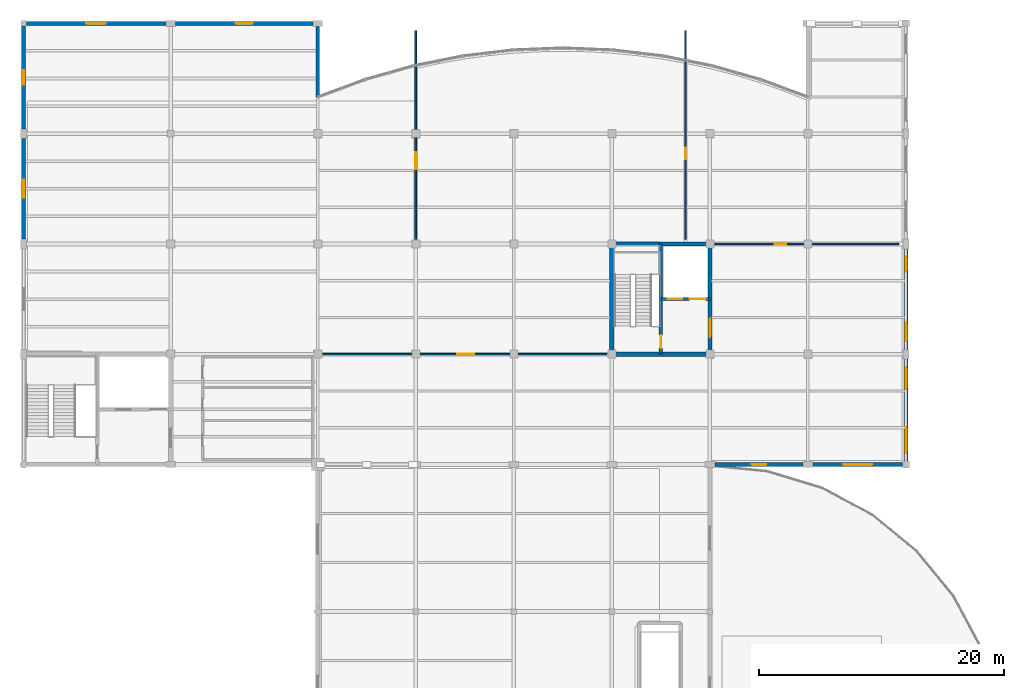
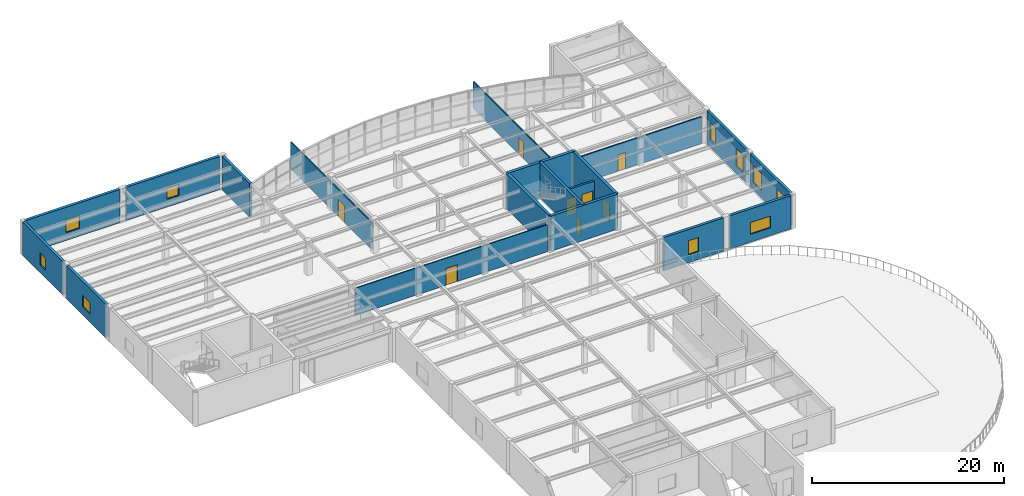
# One storey, part 9 of 16: 19 walls, 10 windows, 8 doors, 18 openings.
"""IFC4 building model written with IfcOpenShell, lengths in metres."""

from ifc_helpers import new_model, si_unit, direction, frame, frame_2d, origin, place, context, subcontext, project, spatial, rectangle, extrude, material, layer, layer_set, type_object, element, fill, save


model = new_model("IFC4")

# Units and contexts
model_context = context("Model", 3, precision=1e-05, world=origin(), true_north=direction((0.0, 1.0)))
body_context = subcontext(model_context, "Body", "Model", "MODEL_VIEW")
ifc_project = project(units=[si_unit("LENGTHUNIT", "METRE"), si_unit("AREAUNIT", "SQUARE_METRE"), si_unit("VOLUMEUNIT", "CUBIC_METRE"), si_unit("PLANEANGLEUNIT", "RADIAN"), si_unit("MASSUNIT", "GRAM", prefix="KILO")], contexts=[model_context])

# Site, building, storey
site_placement = place(None, origin())
site = spatial("IfcSite", under=ifc_project, at=site_placement, CompositionType="ELEMENT")
building_placement = place(site_placement, origin())
building = spatial("IfcBuilding", under=site, at=building_placement, Name="Keelwater Ferry Terminal", CompositionType="ELEMENT")
storey_placement = place(building_placement, frame((0.0, 0.0, 15.0)))
storey = spatial("IfcBuildingStorey", under=building, at=storey_placement, Name="L03", CompositionType="ELEMENT", Elevation=15.0)

# Wall, openings, windows
ifc_material_1 = material(Name="Precast concrete C40/50", Category="concrete")
ifc_layer_1 = layer(ifc_material_1, 0.320068359375)
ifc_layer_set_1 = layer_set([ifc_layer_1], Name="Precast concrete C40/50")
wall_type_1 = type_object("IfcWallType", Name="EW-TC320 External Solid Wall 320", PredefinedType="SOLIDWALL", material=ifc_layer_set_1)
wall_1_placement = place(storey_placement, frame((180.0, 90.27490234375, 0.0), z_axis=(0.0, 0.0, 1.0), x_axis=(0.0, 1.0, 0.0)))
wall_1 = element("IfcWall", 1, at=wall_1_placement, inside=storey, type_object=wall_type_1, Name="External Wall WL-L03-0109", PredefinedType="SOLIDWALL", context=body_context, shape_type="SweptSolid", body=[
    extrude(rectangle(XDim=8.3251953125, YDim=0.320068359375, at=frame_2d((4.16259765625, 0.0))), origin(), (0.0, 0.0, 1.0), 4.239990234375),
])
opening_1_placement = place(wall_1_placement, frame((0.64990234375, 0.0, 0.949951171875)))
opening_1 = element("IfcOpeningElement", 2, at=opening_1_placement, cuts=wall_1, Name="Opening WN-02", PredefinedType="OPENING", context=body_context, shape_type="SweptSolid", body=[
    extrude(rectangle(XDim=2.10009765625, YDim=2.199951171875, at=frame_2d((1.050048828125, 1.10009765625))), frame((0.0, 0.170166015625, 0.0), z_axis=(0.0, -1.0, 0.0), x_axis=(1.0, 0.0, 0.0)), (0.0, 0.0, 1.0), 0.340087890625),
])
opening_2_placement = place(wall_1_placement, frame((5.875, 0.0, 0.949951171875)))
opening_2 = element("IfcOpeningElement", 3, at=opening_2_placement, cuts=wall_1, Name="Opening WN-03", PredefinedType="OPENING", context=body_context, shape_type="SweptSolid", body=[
    extrude(rectangle(XDim=1.800048828125, YDim=2.199951171875, at=frame_2d((0.89990234375, 1.10009765625))), frame((0.0, 0.170166015625, 0.0), z_axis=(0.0, -1.0, 0.0), x_axis=(1.0, 0.0, 0.0)), (0.0, 0.0, 1.0), 0.340087890625),
])
ifc_material_2 = material(Name="Triple low-E glass in thermally broken aluminium frame", Category="aluminium")
window_type_1 = type_object("IfcWindowType", Name="WN-02 Exterior Window 2100x2200", PartitioningType="SINGLE_PANEL", PredefinedType="WINDOW", material=ifc_material_2)
window_1_placement = place(opening_1_placement, origin())
window_1 = element("IfcWindow", 4, at=window_1_placement, inside=storey, type_object=window_type_1, Name="Window WN-L03-0069", OverallHeight=2.199951171875, OverallWidth=2.10009765625, PartitioningType="SINGLE_PANEL", PredefinedType="WINDOW", context=body_context, shape_type="SweptSolid", body=[
    extrude(rectangle(XDim=2.10009765625, YDim=2.199951171875, at=frame_2d((1.050048828125, 1.10009765625))), frame((0.0, 0.030029296875, 0.0), z_axis=(0.0, -1.0, 0.0), x_axis=(1.0, 0.0, 0.0)), (0.0, 0.0, 1.0), 0.06005859375),
])
fill(opening_1, window_1)
ifc_material_3 = material(Name="Triple low-E glass in thermally broken aluminium frame", Category="aluminium")
window_type_2 = type_object("IfcWindowType", Name="WN-03 Exterior Window 1800x2200", PartitioningType="SINGLE_PANEL", PredefinedType="WINDOW", material=ifc_material_3)
window_2_placement = place(opening_2_placement, origin())
window_2 = element("IfcWindow", 5, at=window_2_placement, inside=storey, type_object=window_type_2, Name="Window WN-L03-0070", OverallHeight=2.199951171875, OverallWidth=1.800048828125, PartitioningType="SINGLE_PANEL", PredefinedType="WINDOW", context=body_context, shape_type="SweptSolid", body=[
    extrude(rectangle(XDim=1.800048828125, YDim=2.199951171875, at=frame_2d((0.89990234375, 1.10009765625))), frame((0.0, 0.030029296875, 0.0), z_axis=(0.0, -1.0, 0.0), x_axis=(1.0, 0.0, 0.0)), (0.0, 0.0, 1.0), 0.06005859375),
])
fill(opening_2, window_2)

wall_2_placement = place(storey_placement, frame((180.0, 99.39990234375, 0.0), z_axis=(0.0, 0.0, 1.0), x_axis=(0.0, 1.0, 0.0)))
wall_2 = element("IfcWall", 6, at=wall_2_placement, inside=storey, type_object=wall_type_1, Name="External Wall WL-L03-0110", PredefinedType="SOLIDWALL", context=body_context, shape_type="SweptSolid", body=[
    extrude(rectangle(XDim=8.2001953125, YDim=0.320068359375, at=frame_2d((4.10009765625, 0.0))), origin(), (0.0, 0.0, 1.0), 4.239990234375),
])
opening_3_placement = place(wall_2_placement, frame((0.64990234375, 0.0, 0.949951171875)))
opening_3 = element("IfcOpeningElement", 7, at=opening_3_placement, cuts=wall_2, Name="Opening WN-04", PredefinedType="OPENING", context=body_context, shape_type="SweptSolid", body=[
    extrude(rectangle(XDim=1.5, YDim=2.199951171875, at=frame_2d((0.75, 1.10009765625))), frame((0.0, 0.170166015625, 0.0), z_axis=(0.0, -1.0, 0.0), x_axis=(1.0, 0.0, 0.0)), (0.0, 0.0, 1.0), 0.340087890625),
])
opening_4_placement = place(wall_2_placement, frame((6.35009765625, 0.0, 0.949951171875)))
opening_4 = element("IfcOpeningElement", 8, at=opening_4_placement, cuts=wall_2, Name="Opening WN-05", PredefinedType="OPENING", context=body_context, shape_type="SweptSolid", body=[
    extrude(rectangle(XDim=1.199951171875, YDim=2.199951171875, at=frame_2d((0.60009765625, 1.10009765625))), frame((0.0, 0.170166015625, 0.0), z_axis=(0.0, -1.0, 0.0), x_axis=(1.0, 0.0, 0.0)), (0.0, 0.0, 1.0), 0.340087890625),
])
ifc_material_4 = material(Name="Triple low-E glass in thermally broken aluminium frame", Category="aluminium")
window_type_3 = type_object("IfcWindowType", Name="WN-04 Exterior Window 1500x2200", PartitioningType="SINGLE_PANEL", PredefinedType="WINDOW", material=ifc_material_4)
window_3_placement = place(opening_3_placement, origin())
window_3 = element("IfcWindow", 9, at=window_3_placement, inside=storey, type_object=window_type_3, Name="Window WN-L03-0071", OverallHeight=2.199951171875, OverallWidth=1.5, PartitioningType="SINGLE_PANEL", PredefinedType="WINDOW", context=body_context, shape_type="SweptSolid", body=[
    extrude(rectangle(XDim=1.5, YDim=2.199951171875, at=frame_2d((0.75, 1.10009765625))), frame((0.0, 0.030029296875, 0.0), z_axis=(0.0, -1.0, 0.0), x_axis=(1.0, 0.0, 0.0)), (0.0, 0.0, 1.0), 0.06005859375),
])
fill(opening_3, window_3)
ifc_material_5 = material(Name="Triple low-E glass in thermally broken aluminium frame", Category="aluminium")
window_type_4 = type_object("IfcWindowType", Name="WN-05 Exterior Window 1200x2200", PartitioningType="SINGLE_PANEL", PredefinedType="WINDOW", material=ifc_material_5)
window_4_placement = place(opening_4_placement, origin())
window_4 = element("IfcWindow", 10, at=window_4_placement, inside=storey, type_object=window_type_4, Name="Window WN-L03-0072", OverallHeight=2.199951171875, OverallWidth=1.199951171875, PartitioningType="SINGLE_PANEL", PredefinedType="WINDOW", context=body_context, shape_type="SweptSolid", body=[
    extrude(rectangle(XDim=1.199951171875, YDim=2.199951171875, at=frame_2d((0.60009765625, 1.10009765625))), frame((0.0, 0.030029296875, 0.0), z_axis=(0.0, -1.0, 0.0), x_axis=(1.0, 0.0, 0.0)), (0.0, 0.0, 1.0), 0.06005859375),
])
fill(opening_4, window_4)

# Wall, opening, window
wall_3_placement = place(storey_placement, frame((171.60009765625, 90.0, 0.0), z_axis=(0.0, 0.0, 1.0), x_axis=(-1.0, 0.0, 0.0)))
wall_3 = element("IfcWall", 11, at=wall_3_placement, inside=storey, type_object=wall_type_1, Name="External Wall WL-L03-0113", PredefinedType="SOLIDWALL", context=body_context, shape_type="SweptSolid", body=[
    extrude(rectangle(XDim=7.2001953125, YDim=0.320068359375, at=frame_2d((3.60009765625, 0.0))), origin(), (0.0, 0.0, 1.0), 4.239990234375),
])
opening_5_placement = place(wall_3_placement, frame((3.0, 0.0, 1.0)))
opening_5 = element("IfcOpeningElement", 12, at=opening_5_placement, cuts=wall_3, Name="Opening WN-10", PredefinedType="OPENING", context=body_context, shape_type="SweptSolid", body=[
    extrude(rectangle(XDim=1.199951171875, YDim=1.800048828125, at=frame_2d((0.60009765625, 0.89990234375))), frame((0.0, 0.170166015625, 0.0), z_axis=(0.0, -1.0, 0.0), x_axis=(1.0, 0.0, 0.0)), (0.0, 0.0, 1.0), 0.340087890625),
])
ifc_material_6 = material(Name="Triple low-E glass in thermally broken aluminium frame", Category="aluminium")
window_type_5 = type_object("IfcWindowType", Name="WN-10 Exterior Window 1200x1800", PartitioningType="SINGLE_PANEL", PredefinedType="WINDOW", material=ifc_material_6)
window_5_placement = place(opening_5_placement, origin())
window_5 = element("IfcWindow", 13, at=window_5_placement, inside=storey, type_object=window_type_5, Name="Window WN-L03-0077", OverallHeight=1.800048828125, OverallWidth=1.199951171875, PartitioningType="SINGLE_PANEL", PredefinedType="WINDOW", context=body_context, shape_type="SweptSolid", body=[
    extrude(rectangle(XDim=1.199951171875, YDim=1.800048828125, at=frame_2d((0.60009765625, 0.89990234375))), frame((0.0, 0.030029296875, 0.0), z_axis=(0.0, -1.0, 0.0), x_axis=(1.0, 0.0, 0.0)), (0.0, 0.0, 1.0), 0.06005859375),
])
fill(opening_5, window_5)

wall_4_placement = place(storey_placement, frame((179.72509765625, 90.0, 0.0), z_axis=(0.0, 0.0, 1.0), x_axis=(-1.0, 0.0, 0.0)))
wall_4 = element("IfcWall", 14, at=wall_4_placement, inside=storey, type_object=wall_type_1, Name="External Wall WL-L03-0114", PredefinedType="SOLIDWALL", context=body_context, shape_type="SweptSolid", body=[
    extrude(rectangle(XDim=7.3251953125, YDim=0.320068359375, at=frame_2d((3.66259765625, 0.0))), origin(), (0.0, 0.0, 1.0), 4.239990234375),
])
opening_6_placement = place(wall_4_placement, frame((2.4619140625, 0.0, 1.0)))
opening_6 = element("IfcOpeningElement", 15, at=opening_6_placement, cuts=wall_4, Name="Opening WN-11", PredefinedType="OPENING", context=body_context, shape_type="SweptSolid", body=[
    extrude(rectangle(XDim=2.39990234375, YDim=1.5, at=frame_2d((1.199951171875, 0.75))), frame((0.0, 0.170166015625, 0.0), z_axis=(0.0, -1.0, 0.0), x_axis=(1.0, 0.0, 0.0)), (0.0, 0.0, 1.0), 0.340087890625),
])
ifc_material_7 = material(Name="Triple low-E glass in thermally broken aluminium frame", Category="aluminium")
window_type_6 = type_object("IfcWindowType", Name="WN-11 Exterior Window 2400x1500", PartitioningType="SINGLE_PANEL", PredefinedType="WINDOW", material=ifc_material_7)
window_6_placement = place(opening_6_placement, origin())
window_6 = element("IfcWindow", 16, at=window_6_placement, inside=storey, type_object=window_type_6, Name="Window WN-L03-0078", OverallHeight=1.5, OverallWidth=2.39990234375, PartitioningType="SINGLE_PANEL", PredefinedType="WINDOW", context=body_context, shape_type="SweptSolid", body=[
    extrude(rectangle(XDim=2.39990234375, YDim=1.5, at=frame_2d((1.199951171875, 0.75))), frame((0.0, 0.030029296875, 0.0), z_axis=(0.0, -1.0, 0.0), x_axis=(1.0, 0.0, 0.0)), (0.0, 0.0, 1.0), 0.06005859375),
])
fill(opening_6, window_6)

wall_5_placement = place(storey_placement, frame((108.0, 116.60009765625, 0.0), z_axis=(0.0, 0.0, 1.0), x_axis=(0.0, -1.0, 0.0)))
wall_5 = element("IfcWall", 17, at=wall_5_placement, inside=storey, type_object=wall_type_1, Name="External Wall WL-L03-0116", PredefinedType="SOLIDWALL", context=body_context, shape_type="SweptSolid", body=[
    extrude(rectangle(XDim=8.2001953125, YDim=0.320068359375, at=frame_2d((4.10009765625, 0.0))), origin(), (0.0, 0.0, 1.0), 4.239990234375),
])
opening_7_placement = place(wall_5_placement, frame((3.35009765625, 0.0, 1.0)))
opening_7 = element("IfcOpeningElement", 18, at=opening_7_placement, cuts=wall_5, Name="Opening WN-13", PredefinedType="OPENING", context=body_context, shape_type="SweptSolid", body=[
    extrude(rectangle(XDim=1.5, YDim=1.5, at=frame_2d((0.75, 0.75))), frame((0.0, 0.170166015625, 0.0), z_axis=(0.0, -1.0, 0.0), x_axis=(1.0, 0.0, 0.0)), (0.0, 0.0, 1.0), 0.340087890625),
])
ifc_material_8 = material(Name="Triple low-E glass in thermally broken aluminium frame", Category="aluminium")
window_type_7 = type_object("IfcWindowType", Name="WN-13 Exterior Window 1500x1500", PartitioningType="SINGLE_PANEL", PredefinedType="WINDOW", material=ifc_material_8)
window_7_placement = place(opening_7_placement, origin())
window_7 = element("IfcWindow", 19, at=window_7_placement, inside=storey, type_object=window_type_7, Name="Window WN-L03-0080", OverallHeight=1.5, OverallWidth=1.5, PartitioningType="SINGLE_PANEL", PredefinedType="WINDOW", context=body_context, shape_type="SweptSolid", body=[
    extrude(rectangle(XDim=1.5, YDim=1.5, at=frame_2d((0.75, 0.75))), frame((0.0, 0.030029296875, 0.0), z_axis=(0.0, -1.0, 0.0), x_axis=(1.0, 0.0, 0.0)), (0.0, 0.0, 1.0), 0.06005859375),
])
fill(opening_7, window_7)

wall_6_placement = place(storey_placement, frame((108.0, 125.77490234375, 0.0), z_axis=(0.0, 0.0, 1.0), x_axis=(0.0, -1.0, 0.0)))
wall_6 = element("IfcWall", 20, at=wall_6_placement, inside=storey, type_object=wall_type_1, Name="External Wall WL-L03-0117", PredefinedType="SOLIDWALL", context=body_context, shape_type="SweptSolid", body=[
    extrude(rectangle(XDim=8.375, YDim=0.320068359375, at=frame_2d((4.1875, 0.0))), origin(), (0.0, 0.0, 1.0), 4.239990234375),
])
opening_8_placement = place(wall_6_placement, frame((3.587890625, 0.0, 1.0)))
opening_8 = element("IfcOpeningElement", 21, at=opening_8_placement, cuts=wall_6, Name="Opening WN-14", PredefinedType="OPENING", context=body_context, shape_type="SweptSolid", body=[
    extrude(rectangle(XDim=1.199951171875, YDim=1.5, at=frame_2d((0.60009765625, 0.75))), frame((0.0, 0.170166015625, 0.0), z_axis=(0.0, -1.0, 0.0), x_axis=(1.0, 0.0, 0.0)), (0.0, 0.0, 1.0), 0.340087890625),
])
ifc_material_9 = material(Name="Triple low-E glass in thermally broken aluminium frame", Category="aluminium")
window_type_8 = type_object("IfcWindowType", Name="WN-14 Exterior Window 1200x1500", PartitioningType="SINGLE_PANEL", PredefinedType="WINDOW", material=ifc_material_9)
window_8_placement = place(opening_8_placement, origin())
window_8 = element("IfcWindow", 22, at=window_8_placement, inside=storey, type_object=window_type_8, Name="Window WN-L03-0081", OverallHeight=1.5, OverallWidth=1.199951171875, PartitioningType="SINGLE_PANEL", PredefinedType="WINDOW", context=body_context, shape_type="SweptSolid", body=[
    extrude(rectangle(XDim=1.199951171875, YDim=1.5, at=frame_2d((0.60009765625, 0.75))), frame((0.0, 0.030029296875, 0.0), z_axis=(0.0, -1.0, 0.0), x_axis=(1.0, 0.0, 0.0)), (0.0, 0.0, 1.0), 0.06005859375),
])
fill(opening_8, window_8)

# Wall
wall_7_placement = place(storey_placement, frame((132.0, 125.75, 0.0), z_axis=(0.0, 0.0, 1.0), x_axis=(0.0, -1.0, 0.0)))
element("IfcWall", 23, at=wall_7_placement, inside=storey, type_object=wall_type_1, Name="External Wall WL-L03-0118", PredefinedType="SOLIDWALL", context=body_context, shape_type="SweptSolid", body=[
    extrude(rectangle(XDim=5.75, YDim=0.320068359375, at=frame_2d((2.875, 0.0))), origin(), (0.0, 0.0, 1.0), 4.239990234375),
])

# Wall, opening, window
wall_8_placement = place(storey_placement, frame((108.22509765625, 126.0, 0.0), z_axis=(0.0, 0.0, 1.0), x_axis=(1.0, 0.0, 0.0)))
wall_8 = element("IfcWall", 24, at=wall_8_placement, inside=storey, type_object=wall_type_1, Name="External Wall WL-L03-0120", PredefinedType="SOLIDWALL", context=body_context, shape_type="SweptSolid", body=[
    extrude(rectangle(XDim=11.375, YDim=0.320068359375, at=frame_2d((5.6875, 0.0))), origin(), (0.0, 0.0, 1.0), 4.239990234375),
])
opening_9_placement = place(wall_8_placement, frame((4.887939453125, 0.0, 1.0)))
opening_9 = element("IfcOpeningElement", 25, at=opening_9_placement, cuts=wall_8, Name="Opening WN-15", PredefinedType="OPENING", context=body_context, shape_type="SweptSolid", body=[
    extrude(rectangle(XDim=1.60009765625, YDim=1.60009765625, at=frame_2d((0.800048828125, 0.800048828125))), frame((0.0, 0.170166015625, 0.0), z_axis=(0.0, -1.0, 0.0), x_axis=(1.0, 0.0, 0.0)), (0.0, 0.0, 1.0), 0.340087890625),
])
ifc_material_10 = material(Name="Triple low-E glass in thermally broken aluminium frame", Category="aluminium")
window_type_9 = type_object("IfcWindowType", Name="WN-15 Exterior Window 1600x1600", PartitioningType="SINGLE_PANEL", PredefinedType="WINDOW", material=ifc_material_10)
window_9_placement = place(opening_9_placement, origin())
window_9 = element("IfcWindow", 26, at=window_9_placement, inside=storey, type_object=window_type_9, Name="Window WN-L03-0082", OverallHeight=1.60009765625, OverallWidth=1.60009765625, PartitioningType="SINGLE_PANEL", PredefinedType="WINDOW", context=body_context, shape_type="SweptSolid", body=[
    extrude(rectangle(XDim=1.60009765625, YDim=1.60009765625, at=frame_2d((0.800048828125, 0.800048828125))), frame((0.0, 0.030029296875, 0.0), z_axis=(0.0, -1.0, 0.0), x_axis=(1.0, 0.0, 0.0)), (0.0, 0.0, 1.0), 0.06005859375),
])
fill(opening_9, window_9)

wall_9_placement = place(storey_placement, frame((120.39990234375, 126.0, 0.0), z_axis=(0.0, 0.0, 1.0), x_axis=(1.0, 0.0, 0.0)))
wall_9 = element("IfcWall", 27, at=wall_9_placement, inside=storey, type_object=wall_type_1, Name="External Wall WL-L03-0121", PredefinedType="SOLIDWALL", context=body_context, shape_type="SweptSolid", body=[
    extrude(rectangle(XDim=11.2001953125, YDim=0.320068359375, at=frame_2d((5.60009765625, 0.0))), origin(), (0.0, 0.0, 1.0), 4.239990234375),
])
opening_10_placement = place(wall_9_placement, frame((4.89990234375, 0.0, 1.0)))
opening_10 = element("IfcOpeningElement", 28, at=opening_10_placement, cuts=wall_9, Name="Opening WN-16", PredefinedType="OPENING", context=body_context, shape_type="SweptSolid", body=[
    extrude(rectangle(XDim=1.39990234375, YDim=1.39990234375, at=frame_2d((0.699951171875, 0.699951171875))), frame((0.0, 0.170166015625, 0.0), z_axis=(0.0, -1.0, 0.0), x_axis=(1.0, 0.0, 0.0)), (0.0, 0.0, 1.0), 0.340087890625),
])
ifc_material_11 = material(Name="Triple low-E glass in thermally broken aluminium frame", Category="aluminium")
window_type_10 = type_object("IfcWindowType", Name="WN-16 Exterior Window 1400x1400", PartitioningType="SINGLE_PANEL", PredefinedType="WINDOW", material=ifc_material_11)
window_10_placement = place(opening_10_placement, origin())
window_10 = element("IfcWindow", 29, at=window_10_placement, inside=storey, type_object=window_type_10, Name="Window WN-L03-0083", OverallHeight=1.39990234375, OverallWidth=1.39990234375, PartitioningType="SINGLE_PANEL", PredefinedType="WINDOW", context=body_context, shape_type="SweptSolid", body=[
    extrude(rectangle(XDim=1.39990234375, YDim=1.39990234375, at=frame_2d((0.699951171875, 0.699951171875))), frame((0.0, 0.030029296875, 0.0), z_axis=(0.0, -1.0, 0.0), x_axis=(1.0, 0.0, 0.0)), (0.0, 0.0, 1.0), 0.06005859375),
])
fill(opening_10, window_10)

# Wall, openings, doors
ifc_material_12 = material(Name="Concrete C40/50", Category="concrete")
ifc_layer_2 = layer(ifc_material_12, 0.25)
ifc_layer_set_2 = layer_set([ifc_layer_2], Name="Concrete C40/50")
wall_type_2 = type_object("IfcWallType", Name="IW-250 Solid Wall 250", PredefinedType="SOLIDWALL", material=ifc_layer_set_2)
wall_10_placement = place(storey_placement, frame((164.0, 103.5, 0.0), z_axis=(0.0, 0.0, 1.0), x_axis=(-1.0, 0.0, 0.0)))
wall_10 = element("IfcWall", 30, at=wall_10_placement, inside=storey, type_object=wall_type_2, Name="Interior Wall WL-INT-L03-0078", PredefinedType="SOLIDWALL", context=body_context, shape_type="SweptSolid", body=[
    extrude(rectangle(XDim=4.0, YDim=0.25, at=frame_2d((2.0, 0.0))), origin(), (0.0, 0.0, 1.0), 3.449951171875),
])
opening_11_placement = place(wall_10_placement, frame((0.35009765625, 0.0, 0.0)))
opening_11 = element("IfcOpeningElement", 31, at=opening_11_placement, cuts=wall_10, Name="Opening LD-025", PredefinedType="OPENING", context=body_context, shape_type="SweptSolid", body=[
    extrude(rectangle(XDim=1.300048828125, YDim=2.25, at=frame_2d((0.64990234375, 1.125))), frame((0.0, 0.135009765625, 0.0), z_axis=(0.0, -1.0, 0.0), x_axis=(1.0, 0.0, 0.0)), (0.0, 0.0, 1.0), 0.27001953125),
])
opening_12_placement = place(wall_10_placement, frame((2.25, 0.0, 0.0)))
opening_12 = element("IfcOpeningElement", 32, at=opening_12_placement, cuts=wall_10, Name="Opening LD-026", PredefinedType="OPENING", context=body_context, shape_type="SweptSolid", body=[
    extrude(rectangle(XDim=1.199951171875, YDim=2.199951171875, at=frame_2d((0.60009765625, 1.10009765625))), frame((0.0, 0.135009765625, 0.0), z_axis=(0.0, -1.0, 0.0), x_axis=(1.0, 0.0, 0.0)), (0.0, 0.0, 1.0), 0.27001953125),
])
ifc_material_13 = material(Name="Stainless steel sliding landing doors", Category="steel")
door_type_1 = type_object("IfcDoorType", Name="LD-T2 Lift Landing Door 1200x2200", OperationType="DOUBLE_DOOR_SLIDING", PredefinedType="USERDEFINED", material=ifc_material_13)
door_1_placement = place(opening_12_placement, origin())
door_1 = element("IfcDoor", 33, at=door_1_placement, inside=storey, type_object=door_type_1, Name="Door LD-026", ObjectType="LANDING DOOR", OperationType="DOUBLE_DOOR_SLIDING", OverallHeight=2.199951171875, OverallWidth=1.199951171875, PredefinedType="USERDEFINED", context=body_context, shape_type="SweptSolid", body=[
    extrude(rectangle(XDim=1.199951171875, YDim=2.199951171875, at=frame_2d((0.60009765625, 1.10009765625))), frame((0.0, 0.02490234375, 0.0), z_axis=(0.0, -1.0, 0.0), x_axis=(1.0, 0.0, 0.0)), (0.0, 0.0, 1.0), 0.050048828125),
])
fill(opening_12, door_1)
ifc_material_14 = material(Name="Stainless steel sliding landing doors", Category="steel")
door_type_2 = type_object("IfcDoorType", Name="LD-T3 Lift Landing Door 1300x2250", OperationType="DOUBLE_DOOR_SLIDING", PredefinedType="USERDEFINED", material=ifc_material_14)
door_2_placement = place(opening_11_placement, origin())
door_2 = element("IfcDoor", 34, at=door_2_placement, inside=storey, type_object=door_type_2, Name="Door LD-025", ObjectType="LANDING DOOR", OperationType="DOUBLE_DOOR_SLIDING", OverallHeight=2.25, OverallWidth=1.300048828125, PredefinedType="USERDEFINED", context=body_context, shape_type="SweptSolid", body=[
    extrude(rectangle(XDim=1.300048828125, YDim=2.25, at=frame_2d((0.64990234375, 1.125))), frame((0.0, 0.02490234375, 0.0), z_axis=(0.0, -1.0, 0.0), x_axis=(1.0, 0.0, 0.0)), (0.0, 0.0, 1.0), 0.050048828125),
])
fill(opening_11, door_2)

# Wall, opening, door
ifc_material_15 = material(Name="Gypsum board on acoustic steel stud", Category="steel")
ifc_layer_3 = layer(ifc_material_15, 0.125)
ifc_layer_set_3 = layer_set([ifc_layer_3], Name="Gypsum board on acoustic steel stud")
wall_type_3 = type_object("IfcWallType", Name="PT-125 Partition Wall 125", PredefinedType="PARTITIONING", material=ifc_layer_set_3)
wall_11_placement = place(storey_placement, frame((162.0, 108.39990234375, 0.0), z_axis=(0.0, 0.0, 1.0), x_axis=(0.0, 1.0, 0.0)))
wall_11 = element("IfcWall", 35, at=wall_11_placement, inside=storey, type_object=wall_type_3, Name="Interior Wall WL-INT-L03-0264", PredefinedType="PARTITIONING", context=body_context, shape_type="SweptSolid", body=[
    extrude(rectangle(XDim=17.0, YDim=0.125, at=frame_2d((8.5, 0.0))), origin(), (0.0, 0.0, 1.0), 3.449951171875),
])
opening_13_placement = place(wall_11_placement, frame((6.5, 0.0, 0.0)))
opening_13 = element("IfcOpeningElement", 36, at=opening_13_placement, cuts=wall_11, Name="Opening DR-045", PredefinedType="OPENING", context=body_context, shape_type="SweptSolid", body=[
    extrude(rectangle(XDim=0.949951171875, YDim=2.10009765625, at=frame_2d((0.47509765625, 1.050048828125))), frame((0.0, 0.072509765625, 0.0), z_axis=(0.0, -1.0, 0.0), x_axis=(1.0, 0.0, 0.0)), (0.0, 0.0, 1.0), 0.14501953125),
])
ifc_material_16 = material(Name="Acoustic oak and fire-rated steel frame door", Category="steel")
door_type_3 = type_object("IfcDoorType", Name="ID-08 Pedestrian Door 950x2100", OperationType="NOTDEFINED", PredefinedType="DOOR", material=ifc_material_16)
door_3_placement = place(opening_13_placement, origin())
door_3 = element("IfcDoor", 37, at=door_3_placement, inside=storey, type_object=door_type_3, Name="Door DR-045", OperationType="SINGLE_SWING_RIGHT", OverallHeight=2.10009765625, OverallWidth=0.949951171875, PredefinedType="DOOR", context=body_context, shape_type="SweptSolid", body=[
    extrude(rectangle(XDim=0.949951171875, YDim=2.10009765625, at=frame_2d((0.47509765625, 1.050048828125))), frame((0.0, 0.02490234375, 0.0), z_axis=(0.0, -1.0, 0.0), x_axis=(1.0, 0.0, 0.0)), (0.0, 0.0, 1.0), 0.050048828125),
])
fill(opening_13, door_3)

wall_12_placement = place(storey_placement, frame((164.39990234375, 108.0, 0.0), z_axis=(0.0, 0.0, 1.0), x_axis=(1.0, 0.0, 0.0)))
wall_12 = element("IfcWall", 38, at=wall_12_placement, inside=storey, type_object=wall_type_3, Name="Interior Wall WL-INT-L03-0265", PredefinedType="PARTITIONING", context=body_context, shape_type="SweptSolid", body=[
    extrude(rectangle(XDim=15.0, YDim=0.125, at=frame_2d((7.5, 0.0))), origin(), (0.0, 0.0, 1.0), 3.449951171875),
])
opening_14_placement = place(wall_12_placement, frame((4.89990234375, 0.0, 0.0)))
opening_14 = element("IfcOpeningElement", 39, at=opening_14_placement, cuts=wall_12, Name="Opening DR-046", PredefinedType="OPENING", context=body_context, shape_type="SweptSolid", body=[
    extrude(rectangle(XDim=0.949951171875, YDim=2.10009765625, at=frame_2d((0.47509765625, 1.050048828125))), frame((0.0, 0.072509765625, 0.0), z_axis=(0.0, -1.0, 0.0), x_axis=(1.0, 0.0, 0.0)), (0.0, 0.0, 1.0), 0.14501953125),
])
door_4_placement = place(opening_14_placement, origin())
door_4 = element("IfcDoor", 40, at=door_4_placement, inside=storey, type_object=door_type_3, Name="Door DR-046", OperationType="SINGLE_SWING_LEFT", OverallHeight=2.10009765625, OverallWidth=0.949951171875, PredefinedType="DOOR", context=body_context, shape_type="SweptSolid", body=[
    extrude(rectangle(XDim=0.949951171875, YDim=2.10009765625, at=frame_2d((0.47509765625, 1.050048828125))), frame((0.0, 0.02490234375, 0.0), z_axis=(0.0, -1.0, 0.0), x_axis=(1.0, 0.0, 0.0)), (0.0, 0.0, 1.0), 0.050048828125),
])
fill(opening_14, door_4)

wall_13_placement = place(storey_placement, frame((132.39990234375, 99.0, 0.0), z_axis=(0.0, 0.0, 1.0), x_axis=(1.0, 0.0, 0.0)))
wall_13 = element("IfcWall", 41, at=wall_13_placement, inside=storey, type_object=wall_type_3, Name="Interior Wall WL-INT-L03-0266", PredefinedType="PARTITIONING", context=body_context, shape_type="SweptSolid", body=[
    extrude(rectangle(XDim=23.2001953125, YDim=0.125, at=frame_2d((11.60009765625, 0.0))), origin(), (0.0, 0.0, 1.0), 3.449951171875),
])
opening_15_placement = place(wall_13_placement, frame((11.0, 0.0, 0.0)))
opening_15 = element("IfcOpeningElement", 42, at=opening_15_placement, cuts=wall_13, Name="Opening DR-047", PredefinedType="OPENING", context=body_context, shape_type="SweptSolid", body=[
    extrude(rectangle(XDim=1.35009765625, YDim=2.14990234375, at=frame_2d((0.675048828125, 1.074951171875))), frame((0.0, 0.072509765625, 0.0), z_axis=(0.0, -1.0, 0.0), x_axis=(1.0, 0.0, 0.0)), (0.0, 0.0, 1.0), 0.14501953125),
])
ifc_material_17 = material(Name="Acoustic oak and fire-rated steel frame door", Category="steel")
door_type_4 = type_object("IfcDoorType", Name="ID-04 Pedestrian Door 1350x2150", OperationType="DOUBLE_DOOR_SINGLE_SWING", PredefinedType="DOOR", material=ifc_material_17)
door_5_placement = place(opening_15_placement, origin())
door_5 = element("IfcDoor", 43, at=door_5_placement, inside=storey, type_object=door_type_4, Name="Door DR-047", OperationType="DOUBLE_DOOR_SINGLE_SWING", OverallHeight=2.14990234375, OverallWidth=1.35009765625, PredefinedType="DOOR", context=body_context, shape_type="SweptSolid", body=[
    extrude(rectangle(XDim=1.35009765625, YDim=2.14990234375, at=frame_2d((0.675048828125, 1.074951171875))), frame((0.0, 0.02490234375, 0.0), z_axis=(0.0, -1.0, 0.0), x_axis=(1.0, 0.0, 0.0)), (0.0, 0.0, 1.0), 0.050048828125),
])
fill(opening_15, door_5)

ifc_material_18 = material(Name="Gypsum board on acoustic steel stud", Category="steel")
ifc_layer_4 = layer(ifc_material_18, 0.14990234375)
ifc_layer_set_4 = layer_set([ifc_layer_4], Name="Gypsum board on acoustic steel stud")
wall_type_4 = type_object("IfcWallType", Name="PT-150 Partition Wall 150", PredefinedType="PARTITIONING", material=ifc_layer_set_4)
wall_14_placement = place(storey_placement, frame((140.0, 108.39990234375, 0.0), z_axis=(0.0, 0.0, 1.0), x_axis=(0.0, 1.0, 0.0)))
wall_14 = element("IfcWall", 44, at=wall_14_placement, inside=storey, type_object=wall_type_4, Name="Interior Wall WL-INT-L03-0263", PredefinedType="PARTITIONING", context=body_context, shape_type="SweptSolid", body=[
    extrude(rectangle(XDim=17.0, YDim=0.14990234375, at=frame_2d((8.5, 0.0))), origin(), (0.0, 0.0, 1.0), 3.449951171875),
])
opening_16_placement = place(wall_14_placement, frame((5.699951171875, 0.0, 0.0)))
opening_16 = element("IfcOpeningElement", 45, at=opening_16_placement, cuts=wall_14, Name="Opening DR-044", PredefinedType="OPENING", context=body_context, shape_type="SweptSolid", body=[
    extrude(rectangle(XDim=1.39990234375, YDim=2.14990234375, at=frame_2d((0.699951171875, 1.074951171875))), frame((0.0, 0.0849609375, 0.0), z_axis=(0.0, -1.0, 0.0), x_axis=(1.0, 0.0, 0.0)), (0.0, 0.0, 1.0), 0.169921875),
])
ifc_material_19 = material(Name="Acoustic oak and fire-rated steel frame door", Category="steel")
door_type_5 = type_object("IfcDoorType", Name="ID-03 Pedestrian Door 1400x2150", OperationType="DOUBLE_DOOR_SINGLE_SWING", PredefinedType="DOOR", material=ifc_material_19)
door_6_placement = place(opening_16_placement, origin())
door_6 = element("IfcDoor", 46, at=door_6_placement, inside=storey, type_object=door_type_5, Name="Door DR-044", OperationType="DOUBLE_DOOR_SINGLE_SWING", OverallHeight=2.14990234375, OverallWidth=1.39990234375, PredefinedType="DOOR", context=body_context, shape_type="SweptSolid", body=[
    extrude(rectangle(XDim=1.39990234375, YDim=2.14990234375, at=frame_2d((0.699951171875, 1.074951171875))), frame((0.0, 0.02490234375, 0.0), z_axis=(0.0, -1.0, 0.0), x_axis=(1.0, 0.0, 0.0)), (0.0, 0.0, 1.0), 0.050048828125),
])
fill(opening_16, door_6)

ifc_material_20 = material(Name="Concrete C45/55", Category="concrete")
ifc_layer_5 = layer(ifc_material_20, 0.300048828125)
ifc_layer_set_5 = layer_set([ifc_layer_5], Name="Concrete C45/55")
wall_type_5 = type_object("IfcWallType", Name="SW-300 Shear Wall 300", PredefinedType="SHEAR", material=ifc_layer_set_5)
wall_15_placement = place(storey_placement, frame((160.0, 108.0, 0.0), z_axis=(0.0, 0.0, 1.0), x_axis=(0.0, -1.0, 0.0)))
wall_15 = element("IfcWall", 47, at=wall_15_placement, inside=storey, type_object=wall_type_5, Name="Interior Wall WL-INT-L03-0077", PredefinedType="SHEAR", context=body_context, shape_type="SweptSolid", body=[
    extrude(rectangle(XDim=9.0, YDim=0.300048828125, at=frame_2d((4.5, 0.0))), origin(), (0.0, 0.0, 1.0), 4.47998046875),
])
opening_17_placement = place(wall_15_placement, frame((7.449951171875, 0.0, 0.0)))
opening_17 = element("IfcOpeningElement", 48, at=opening_17_placement, cuts=wall_15, Name="Opening FD-025", PredefinedType="OPENING", context=body_context, shape_type="SweptSolid", body=[
    extrude(rectangle(XDim=1.050048828125, YDim=2.14990234375, at=frame_2d((0.52490234375, 1.074951171875))), frame((0.0, 0.159912109375, 0.0), z_axis=(0.0, -1.0, 0.0), x_axis=(1.0, 0.0, 0.0)), (0.0, 0.0, 1.0), 0.320068359375),
])
ifc_material_21 = material(Name="Acoustic oak and fire-rated steel frame door", Category="steel")
door_type_6 = type_object("IfcDoorType", Name="ID-06 Pedestrian Door 1050x2150", OperationType="NOTDEFINED", PredefinedType="DOOR", material=ifc_material_21)
door_7_placement = place(opening_17_placement, origin())
door_7 = element("IfcDoor", 49, at=door_7_placement, inside=storey, type_object=door_type_6, Name="Door FD-025", OperationType="SINGLE_SWING_LEFT", OverallHeight=2.14990234375, OverallWidth=1.050048828125, PredefinedType="DOOR", context=body_context, shape_type="SweptSolid", body=[
    extrude(rectangle(XDim=1.050048828125, YDim=2.14990234375, at=frame_2d((0.52490234375, 1.074951171875))), frame((0.0, 0.02490234375, 0.0), z_axis=(0.0, -1.0, 0.0), x_axis=(1.0, 0.0, 0.0)), (0.0, 0.0, 1.0), 0.050048828125),
])
fill(opening_17, door_7)

# Walls
ifc_material_22 = material(Name="Concrete C45/55", Category="concrete")
ifc_layer_6 = layer(ifc_material_22, 0.35009765625)
ifc_layer_set_6 = layer_set([ifc_layer_6], Name="Concrete C45/55")
wall_type_6 = type_object("IfcWallType", Name="SW-350 Shear Wall 350", PredefinedType="SHEAR", material=ifc_layer_set_6)
for number, where, z_axis, x_axis, name in (
    (50, (156.0, 99.0, 0.0), (0.0, 0.0, 1.0), (1.0, 0.0, 0.0), "Interior Wall WL-INT-L03-0073"),
    (51, (156.0, 108.0, 0.0), (0.0, 0.0, 1.0), (1.0, 0.0, 0.0), "Interior Wall WL-INT-L03-0074"),
):
    element("IfcWall", number, at=place(storey_placement, frame(where, z_axis=z_axis, x_axis=x_axis)), inside=storey, type_object=wall_type_6, Name=name, PredefinedType="SHEAR", context=body_context, shape_type="SweptSolid", body=[
        extrude(rectangle(XDim=8.0, YDim=0.35009765625, at=frame_2d((4.0, 0.0))), origin(), (0.0, 0.0, 1.0), 4.47998046875),
    ])
wall_16_placement = place(storey_placement, frame((156.0, 99.0, 0.0), z_axis=(0.0, 0.0, 1.0), x_axis=(0.0, 1.0, 0.0)))
element("IfcWall", 52, at=wall_16_placement, inside=storey, type_object=wall_type_6, Name="Interior Wall WL-INT-L03-0075", PredefinedType="SHEAR", context=body_context, shape_type="SweptSolid", body=[
    extrude(rectangle(XDim=9.0, YDim=0.35009765625, at=frame_2d((4.5, 0.0))), origin(), (0.0, 0.0, 1.0), 4.47998046875),
])

# Wall, opening, door
wall_17_placement = place(storey_placement, frame((164.0, 99.0, 0.0), z_axis=(0.0, 0.0, 1.0), x_axis=(0.0, 1.0, 0.0)))
wall_17 = element("IfcWall", 53, at=wall_17_placement, inside=storey, type_object=wall_type_6, Name="Interior Wall WL-INT-L03-0076", PredefinedType="SHEAR", context=body_context, shape_type="SweptSolid", body=[
    extrude(rectangle(XDim=9.0, YDim=0.35009765625, at=frame_2d((4.5, 0.0))), origin(), (0.0, 0.0, 1.0), 4.47998046875),
])
opening_18_placement = place(wall_17_placement, frame((1.39990234375, 0.0, 0.0)))
opening_18 = element("IfcOpeningElement", 54, at=opening_18_placement, cuts=wall_17, Name="Opening FD-026", PredefinedType="OPENING", context=body_context, shape_type="SweptSolid", body=[
    extrude(rectangle(XDim=1.5, YDim=2.199951171875, at=frame_2d((0.75, 1.10009765625))), frame((0.0, 0.18505859375, 0.0), z_axis=(0.0, -1.0, 0.0), x_axis=(1.0, 0.0, 0.0)), (0.0, 0.0, 1.0), 0.3701171875),
])
ifc_material_23 = material(Name="Acoustic oak and fire-rated steel frame door", Category="steel")
door_type_7 = type_object("IfcDoorType", Name="ID-02 Pedestrian Door 1500x2200", OperationType="DOUBLE_DOOR_SINGLE_SWING", PredefinedType="DOOR", material=ifc_material_23)
door_8_placement = place(opening_18_placement, origin())
door_8 = element("IfcDoor", 55, at=door_8_placement, inside=storey, type_object=door_type_7, Name="Door FD-026", OperationType="DOUBLE_DOOR_SINGLE_SWING", OverallHeight=2.199951171875, OverallWidth=1.5, PredefinedType="DOOR", context=body_context, shape_type="SweptSolid", body=[
    extrude(rectangle(XDim=1.5, YDim=2.199951171875, at=frame_2d((0.75, 1.10009765625))), frame((0.0, 0.02490234375, 0.0), z_axis=(0.0, -1.0, 0.0), x_axis=(1.0, 0.0, 0.0)), (0.0, 0.0, 1.0), 0.050048828125),
])
fill(opening_18, door_8)

save(model, "model.ifc")
